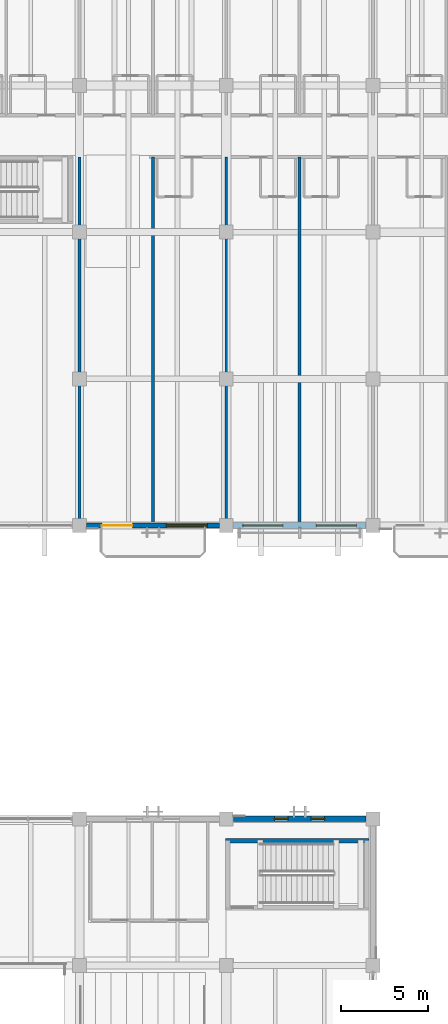
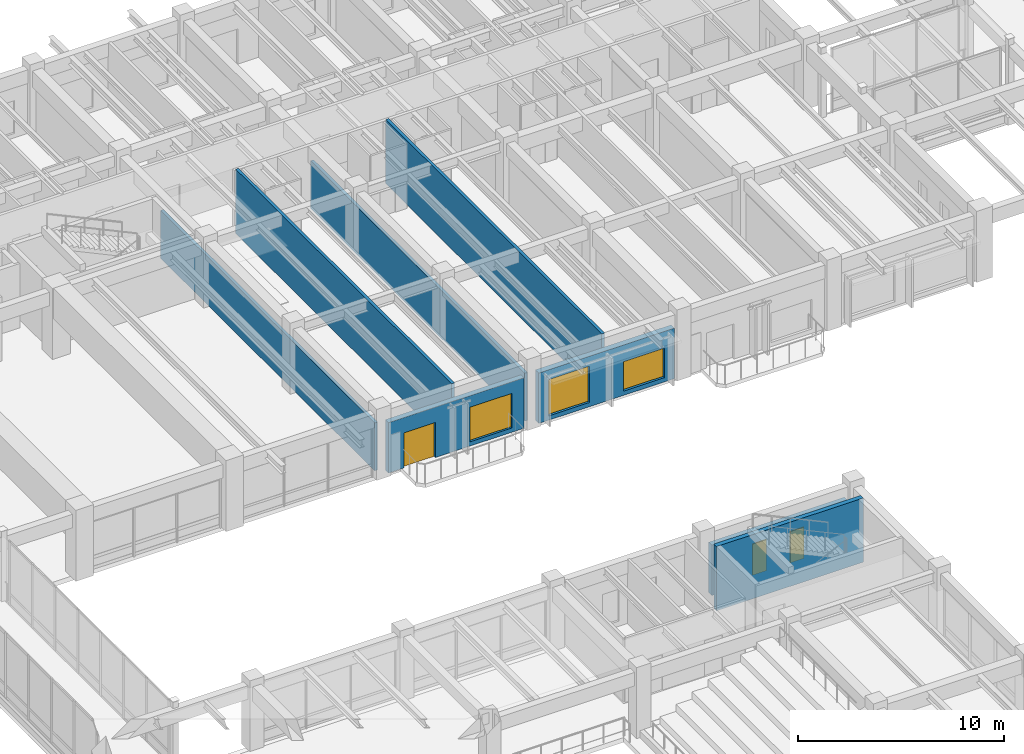
# One storey, part 85 of 132: 8 walls, 5 windows, 1 door, 6 openings.
"""IFC4 building model written with IfcOpenShell, lengths in metres."""

from ifc_helpers import new_model, si_unit, direction, frame, frame_2d, origin, place, context, subcontext, project, spatial, rectangle, extrude, material, layer, layer_set, type_object, element, fill, save


model = new_model("IFC4")

# Units and contexts
model_context = context("Model", 3, precision=1e-05, world=origin(), true_north=direction((0.0, 1.0)))
body_context = subcontext(model_context, "Body", "Model", "MODEL_VIEW")
ifc_project = project(units=[si_unit("LENGTHUNIT", "METRE"), si_unit("AREAUNIT", "SQUARE_METRE"), si_unit("VOLUMEUNIT", "CUBIC_METRE"), si_unit("PLANEANGLEUNIT", "RADIAN"), si_unit("MASSUNIT", "GRAM", prefix="KILO")], contexts=[model_context])

# Site, building, storey
site_placement = place(None, origin())
site = spatial("IfcSite", under=ifc_project, at=site_placement, CompositionType="ELEMENT")
building_placement = place(site_placement, origin())
building = spatial("IfcBuilding", under=site, at=building_placement, Name="Cumbredor Promenade Congress Hotel", CompositionType="ELEMENT")
storey_placement = place(building_placement, frame((0.0, 0.0, 7.56005859375)))
storey = spatial("IfcBuildingStorey", under=building, at=storey_placement, Name="L02", CompositionType="ELEMENT", Elevation=7.56005859375)

# Wall, openings, windows
ifc_material_1 = material(Name="Concrete C40/50", Category="concrete")
ifc_layer_1 = layer(ifc_material_1, 0.300048828125, Name="Concrete C40/50", Category="concrete")
ifc_layer_set_1 = layer_set([ifc_layer_1], Name="Concrete C40/50")
wall_type_1 = type_object("IfcWallType", Name="WL-EXT-300", PredefinedType="SOLIDWALL", material=ifc_layer_set_1)
wall_1_placement = place(storey_placement, frame((59.200927734375, 67.199951171875, 0.0), z_axis=(0.0, 0.0, 1.0), x_axis=(1.0, 0.0, 0.0)))
wall_1 = element("IfcWall", 1, at=wall_1_placement, inside=storey, type_object=wall_type_1, Name="L02 Plenary Congress Hall North Envelope Wall 7", PredefinedType="SOLIDWALL", context=body_context, shape_type="SweptSolid", body=[
    extrude(rectangle(XDim=7.59814453125, YDim=0.300048828125, at=frame_2d((3.799072265625, 0.0))), origin(), (0.0, 0.0, 1.0), 2.98486328125),
])
opening_1_placement = place(wall_1_placement, frame((2.35888671875, 0.0, 0.300048828125)))
opening_1 = element("IfcOpeningElement", 2, at=opening_1_placement, cuts=wall_1, Name="Opening WN-46", PredefinedType="OPENING", context=body_context, shape_type="SweptSolid", body=[
    extrude(rectangle(XDim=0.780029296875, YDim=1.85009765625, at=frame_2d((0.39013671875, 0.925048828125))), frame((0.0, 0.16015625, 0.0), z_axis=(0.0, -1.0, 0.0), x_axis=(1.0, 0.0, 0.0)), (0.0, 0.0, 1.0), 0.320068359375),
])
opening_2_placement = place(wall_1_placement, frame((4.458984375, 0.0, 0.300048828125)))
opening_2 = element("IfcOpeningElement", 3, at=opening_2_placement, cuts=wall_1, Name="Opening WN-46", PredefinedType="OPENING", context=body_context, shape_type="SweptSolid", body=[
    extrude(rectangle(XDim=0.780029296875, YDim=1.85009765625, at=frame_2d((0.39013671875, 0.925048828125))), frame((0.0, 0.16015625, 0.0), z_axis=(0.0, -1.0, 0.0), x_axis=(1.0, 0.0, 0.0)), (0.0, 0.0, 1.0), 0.320068359375),
])
ifc_material_2 = material(Name="Thermally broken anodized aluminium and low-E glass", Category="aluminium")
window_type_1 = type_object("IfcWindowType", Name="Vertical Slot Window WN-46 780x1850", PartitioningType="SINGLE_PANEL", PredefinedType="WINDOW", material=ifc_material_2)
window_1_placement = place(opening_1_placement, origin())
window_1 = element("IfcWindow", 4, at=window_1_placement, inside=storey, type_object=window_type_1, Name="L02 Vertical Slot Window 0244", OverallHeight=1.85009765625, OverallWidth=0.780029296875, PartitioningType="SINGLE_PANEL", PredefinedType="WINDOW", context=body_context, shape_type="SweptSolid", body=[
    extrude(rectangle(XDim=0.780029296875, YDim=1.85009765625, at=frame_2d((0.39013671875, 0.925048828125))), frame((0.0, 0.030029296875, 0.0), z_axis=(0.0, -1.0, 0.0), x_axis=(1.0, 0.0, 0.0)), (0.0, 0.0, 1.0), 0.06005859375),
])
fill(opening_1, window_1)
window_2_placement = place(opening_2_placement, origin())
window_2 = element("IfcWindow", 5, at=window_2_placement, inside=storey, type_object=window_type_1, Name="L02 Vertical Slot Window 0245", OverallHeight=1.85009765625, OverallWidth=0.780029296875, PartitioningType="SINGLE_PANEL", PredefinedType="WINDOW", context=body_context, shape_type="SweptSolid", body=[
    extrude(rectangle(XDim=0.780029296875, YDim=1.85009765625, at=frame_2d((0.39013671875, 0.925048828125))), frame((0.0, 0.030029296875, 0.0), z_axis=(0.0, -1.0, 0.0), x_axis=(1.0, 0.0, 0.0)), (0.0, 0.0, 1.0), 0.06005859375),
])
fill(opening_2, window_2)

# Wall, openings, door, window
wall_2_placement = place(storey_placement, frame((50.801025390625, 84.0, 0.0), z_axis=(0.0, 0.0, 1.0), x_axis=(1.0, 0.0, 0.0)))
wall_2 = element("IfcWall", 6, at=wall_2_placement, inside=storey, type_object=wall_type_1, Name="L02 Stepped Congress Hotel Wing South Envelope Wall 7", PredefinedType="SOLIDWALL", context=body_context, shape_type="SweptSolid", body=[
    extrude(rectangle(XDim=7.597900390625, YDim=0.300048828125, at=frame_2d((3.798828125, 0.0))), origin(), (0.0, 0.0, 1.0), 2.98486328125),
])
opening_3_placement = place(wall_2_placement, frame((0.8740234375, 0.0, 0.0)))
opening_3 = element("IfcOpeningElement", 7, at=opening_3_placement, cuts=wall_2, Name="Opening TD-03", PredefinedType="OPENING", context=body_context, shape_type="SweptSolid", body=[
    extrude(rectangle(XDim=1.75, YDim=2.080078125, at=frame_2d((0.875, 1.0400390625))), frame((0.0, 0.16015625, 0.0), z_axis=(0.0, -1.0, 0.0), x_axis=(1.0, 0.0, 0.0)), (0.0, 0.0, 1.0), 0.320068359375),
])
opening_4_placement = place(wall_2_placement, frame((4.573974609375, 0.0, 0.25)))
opening_4 = element("IfcOpeningElement", 8, at=opening_4_placement, cuts=wall_2, Name="Opening WN-14", PredefinedType="OPENING", context=body_context, shape_type="SweptSolid", body=[
    extrude(rectangle(XDim=2.35009765625, YDim=2.050048828125, at=frame_2d((1.175048828125, 1.02490234375))), frame((0.0, 0.16015625, 0.0), z_axis=(0.0, -1.0, 0.0), x_axis=(1.0, 0.0, 0.0)), (0.0, 0.0, 1.0), 0.320068359375),
])
ifc_material_3 = material(Name="Thermally broken anodized aluminium and laminated safety glass", Category="aluminium")
door_type = type_object("IfcDoorType", Name="EXT-DR-TER-1750x2080", OperationType="DOUBLE_DOOR_SINGLE_SWING", PredefinedType="DOOR", material=ifc_material_3)
door_placement = place(opening_3_placement, frame((1.75, 0.0, 0.0), z_axis=(0.0, 0.0, 1.0), x_axis=(-1.0, 0.0, 0.0)))
door = element("IfcDoor", 9, at=door_placement, inside=storey, type_object=door_type, Name="L02 Guestroom Veranda Balcony Door 035", OperationType="DOUBLE_DOOR_SINGLE_SWING", OverallHeight=2.080078125, OverallWidth=1.75, PredefinedType="DOOR", context=body_context, shape_type="SweptSolid", body=[
    extrude(rectangle(XDim=1.75, YDim=2.080078125, at=frame_2d((0.875, 1.0400390625))), frame((0.0, 0.02490234375, 0.0), z_axis=(0.0, -1.0, 0.0), x_axis=(1.0, 0.0, 0.0)), (0.0, 0.0, 1.0), 0.050048828125),
])
fill(opening_3, door)
window_type_2 = type_object("IfcWindowType", Name="Hospitality Floor-to-Ceiling Window WN-14 2350x2050", PartitioningType="DOUBLE_PANEL_VERTICAL", PredefinedType="WINDOW", material=ifc_material_2)
window_3_placement = place(opening_4_placement, origin())
window_3 = element("IfcWindow", 10, at=window_3_placement, inside=storey, type_object=window_type_2, Name="L02 Veranda Companion Floor-to-Ceiling Window 0303", OverallHeight=2.050048828125, OverallWidth=2.35009765625, PartitioningType="DOUBLE_PANEL_VERTICAL", PredefinedType="WINDOW", context=body_context, shape_type="SweptSolid", body=[
    extrude(rectangle(XDim=2.35009765625, YDim=2.050048828125, at=frame_2d((1.175048828125, 1.02490234375))), frame((0.0, 0.030029296875, 0.0), z_axis=(0.0, -1.0, 0.0), x_axis=(1.0, 0.0, 0.0)), (0.0, 0.0, 1.0), 0.06005859375),
])
fill(opening_4, window_3)

# Wall, openings, windows
ifc_layer_2 = layer(ifc_material_1, 0.324951171875, Name="Concrete C40/50", Category="concrete")
ifc_layer_set_2 = layer_set([ifc_layer_2], Name="Concrete C40/50")
wall_type_2 = type_object("IfcWallType", Name="WL-EXT-325", PredefinedType="SOLIDWALL", material=ifc_layer_set_2)
wall_3_placement = place(storey_placement, frame((59.200927734375, 84.0, 0.0), z_axis=(0.0, 0.0, 1.0), x_axis=(1.0, 0.0, 0.0)))
wall_3 = element("IfcWall", 11, at=wall_3_placement, inside=storey, type_object=wall_type_2, Name="L02 Stepped Congress Hotel Wing South Envelope Wall 8", PredefinedType="SOLIDWALL", context=body_context, shape_type="SweptSolid", body=[
    extrude(rectangle(XDim=7.59814453125, YDim=0.324951171875, at=frame_2d((3.799072265625, 0.0))), origin(), (0.0, 0.0, 1.0), 2.98486328125),
])
opening_5_placement = place(wall_3_placement, frame((0.549072265625, 0.0, 0.25)))
opening_5 = element("IfcOpeningElement", 12, at=opening_5_placement, cuts=wall_3, Name="Opening WN-19", PredefinedType="OPENING", context=body_context, shape_type="SweptSolid", body=[
    extrude(rectangle(XDim=2.300048828125, YDim=2.14990234375, at=frame_2d((1.14990234375, 1.074951171875))), frame((0.0, 0.17236328125, 0.0), z_axis=(0.0, -1.0, 0.0), x_axis=(1.0, 0.0, 0.0)), (0.0, 0.0, 1.0), 0.344970703125),
])
opening_6_placement = place(wall_3_placement, frame((4.7490234375, 0.0, 0.25)))
opening_6 = element("IfcOpeningElement", 13, at=opening_6_placement, cuts=wall_3, Name="Opening WN-25", PredefinedType="OPENING", context=body_context, shape_type="SweptSolid", body=[
    extrude(rectangle(XDim=2.300048828125, YDim=1.75, at=frame_2d((1.14990234375, 0.875))), frame((0.0, 0.17236328125, 0.0), z_axis=(0.0, -1.0, 0.0), x_axis=(1.0, 0.0, 0.0)), (0.0, 0.0, 1.0), 0.344970703125),
])
window_type_3 = type_object("IfcWindowType", Name="Hospitality Floor-to-Ceiling Window WN-19 2300x2150", PartitioningType="DOUBLE_PANEL_VERTICAL", PredefinedType="WINDOW", material=ifc_material_2)
window_4_placement = place(opening_5_placement, origin())
window_4 = element("IfcWindow", 14, at=window_4_placement, inside=storey, type_object=window_type_3, Name="L02 Wide Hospitality Window 0304", OverallHeight=2.14990234375, OverallWidth=2.300048828125, PartitioningType="DOUBLE_PANEL_VERTICAL", PredefinedType="WINDOW", context=body_context, shape_type="SweptSolid", body=[
    extrude(rectangle(XDim=2.300048828125, YDim=2.14990234375, at=frame_2d((1.14990234375, 1.074951171875))), frame((0.0, 0.030029296875, 0.0), z_axis=(0.0, -1.0, 0.0), x_axis=(1.0, 0.0, 0.0)), (0.0, 0.0, 1.0), 0.06005859375),
])
fill(opening_5, window_4)
window_type_4 = type_object("IfcWindowType", Name="Hospitality Floor-to-Ceiling Window WN-25 2300x1750", PartitioningType="DOUBLE_PANEL_VERTICAL", PredefinedType="WINDOW", material=ifc_material_2)
window_5_placement = place(opening_6_placement, origin())
window_5 = element("IfcWindow", 15, at=window_5_placement, inside=storey, type_object=window_type_4, Name="L02 Wide Hospitality Window 0305", OverallHeight=1.75, OverallWidth=2.300048828125, PartitioningType="DOUBLE_PANEL_VERTICAL", PredefinedType="WINDOW", context=body_context, shape_type="SweptSolid", body=[
    extrude(rectangle(XDim=2.300048828125, YDim=1.75, at=frame_2d((1.14990234375, 0.875))), frame((0.0, 0.030029296875, 0.0), z_axis=(0.0, -1.0, 0.0), x_axis=(1.0, 0.0, 0.0)), (0.0, 0.0, 1.0), 0.06005859375),
])
fill(opening_6, window_5)

# Walls
ifc_layer_3 = layer(ifc_material_1, 0.2548828125, Name="Concrete C40/50", Category="concrete")
ifc_layer_set_3 = layer_set([ifc_layer_3], Name="Concrete C40/50")
wall_type_3 = type_object("IfcWallType", Name="WL-SHAFT-250", PredefinedType="SOLIDWALL", material=ifc_layer_set_3)
wall_4_placement = place(storey_placement, frame((58.75244140625, 65.949951171875, 0.0), z_axis=(0.0, 0.0, 1.0), x_axis=(1.0, 0.0, 0.0)))
element("IfcWall", 16, at=wall_4_placement, inside=storey, type_object=wall_type_3, Name="STAIR-ST-07-L02 Shaft Wall North", PredefinedType="SOLIDWALL", context=body_context, shape_type="SweptSolid", body=[
    extrude(rectangle(XDim=8.22509765625, YDim=0.2548828125, at=frame_2d((4.112548828125, 0.0))), origin(), (0.0, 0.0, 1.0), 3.800048828125),
])
ifc_material_4 = material(Name="Fire-rated acoustic double-stud partition")
ifc_layer_4 = layer(ifc_material_4, 0.1650390625, Name="Fire-rated acoustic double-stud partition")
ifc_layer_set_4 = layer_set([ifc_layer_4], Name="Fire-rated acoustic double-stud partition")
wall_type_4 = type_object("IfcWallType", Name="WL-UNIT-165", PredefinedType="PARTITIONING", material=ifc_layer_set_4)
wall_5_placement = place(storey_placement, frame((54.60009765625, 84.14990234375, 0.0), z_axis=(0.0, 0.0, 1.0), x_axis=(0.0, 1.0, 0.0)))
element("IfcWall", 17, at=wall_5_placement, inside=storey, type_object=wall_type_4, Name="L02 Interior Partition W-L02-SE-DIV-0-M", PredefinedType="PARTITIONING", context=body_context, shape_type="SweptSolid", body=[
    extrude(rectangle(XDim=20.9501953125, YDim=0.1650390625, at=frame_2d((10.47509765625, 0.0))), origin(), (0.0, 0.0, 1.0), 3.800048828125),
])
wall_6_placement = place(storey_placement, frame((50.39990234375, 84.35009765625, 0.0), z_axis=(0.0, 0.0, 1.0), x_axis=(0.0, 1.0, 0.0)))
element("IfcWall", 18, at=wall_6_placement, inside=storey, type_object=wall_type_4, Name="L02 Interior Partition W-L02-SE-DIV-0-G", PredefinedType="PARTITIONING", context=body_context, shape_type="SweptSolid", body=[
    extrude(rectangle(XDim=20.75, YDim=0.1650390625, at=frame_2d((10.375, 0.0))), origin(), (0.0, 0.0, 1.0), 2.8349609375),
])
wall_7_placement = place(storey_placement, frame((63.0, 84.16259765625, 0.0), z_axis=(0.0, 0.0, 1.0), x_axis=(0.0, 1.0, 0.0)))
element("IfcWall", 19, at=wall_7_placement, inside=storey, type_object=wall_type_4, Name="L02 Interior Partition W-L02-SE-DIV-1-M", PredefinedType="PARTITIONING", context=body_context, shape_type="SweptSolid", body=[
    extrude(rectangle(XDim=20.9375, YDim=0.1650390625, at=frame_2d((10.46875, 0.0))), origin(), (0.0, 0.0, 1.0), 3.800048828125),
])
wall_8_placement = place(storey_placement, frame((58.800048828125, 84.35009765625, 0.0), z_axis=(0.0, 0.0, 1.0), x_axis=(0.0, 1.0, 0.0)))
element("IfcWall", 20, at=wall_8_placement, inside=storey, type_object=wall_type_4, Name="L02 Interior Partition W-L02-SE-DIV-1-G", PredefinedType="PARTITIONING", context=body_context, shape_type="SweptSolid", body=[
    extrude(rectangle(XDim=20.75, YDim=0.1650390625, at=frame_2d((10.375, 0.0))), origin(), (0.0, 0.0, 1.0), 2.8349609375),
])

save(model, "model.ifc")
